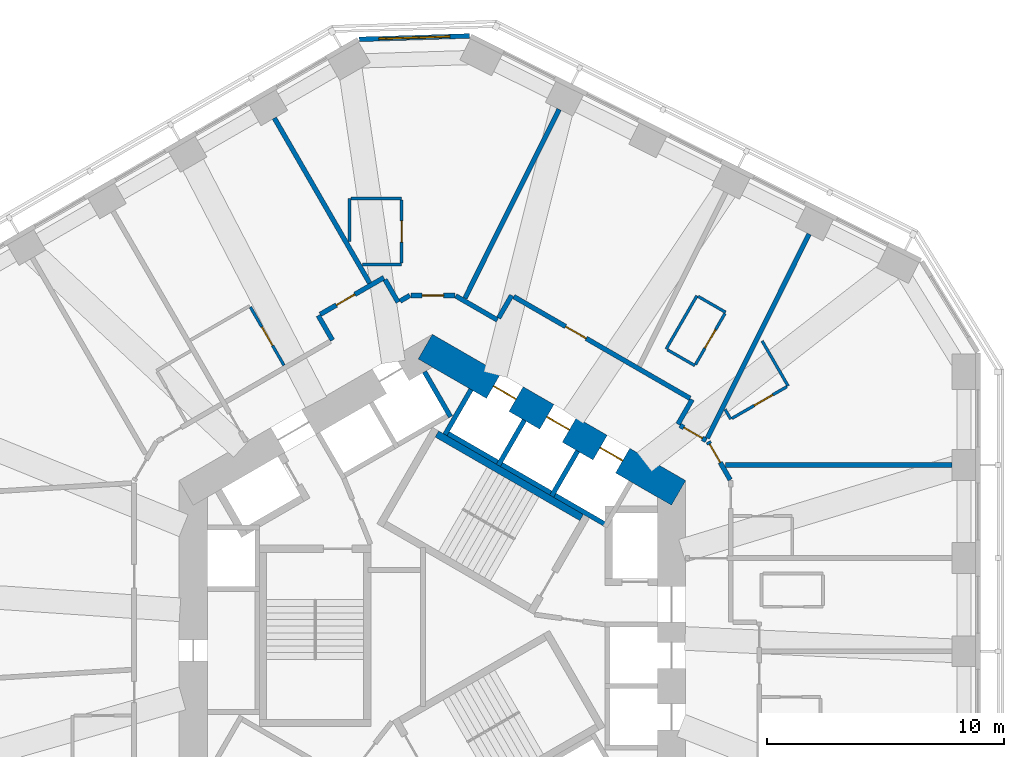
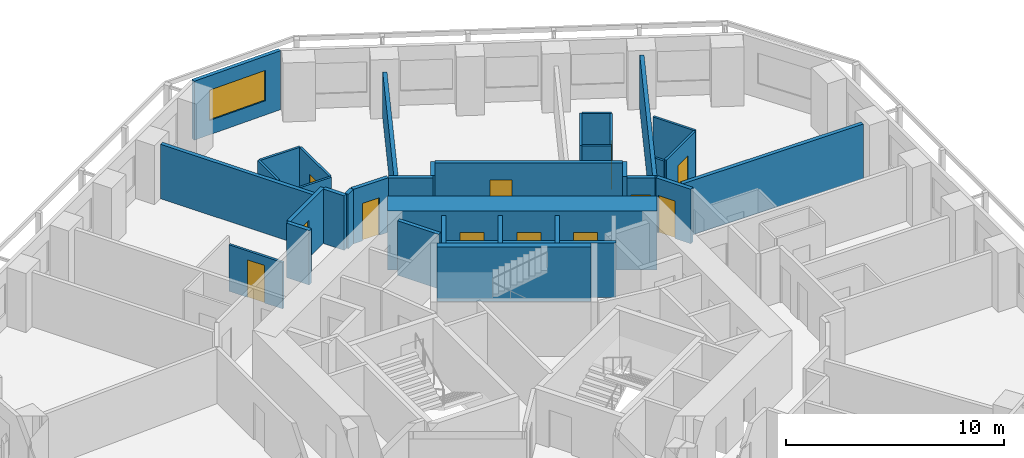
# One storey, part 8 of 12: 35 walls, 12 doors, 1 window, 13 openings.
"""IFC4 building model written with IfcOpenShell, lengths in metres."""

from ifc_helpers import new_model, si_unit, direction, frame, frame_2d, origin, place, context, subcontext, project, spatial, rectangle, extrude, material, layer, layer_set, type_object, element, fill, save


model = new_model("IFC4")

# Units and contexts
model_context = context("Model", 3, precision=1e-05, world=origin(), true_north=direction((0.0, 1.0)))
body_context = subcontext(model_context, "Body", "Model", "MODEL_VIEW")
ifc_project = project(units=[si_unit("LENGTHUNIT", "METRE"), si_unit("AREAUNIT", "SQUARE_METRE"), si_unit("VOLUMEUNIT", "CUBIC_METRE"), si_unit("PLANEANGLEUNIT", "RADIAN"), si_unit("MASSUNIT", "GRAM", prefix="KILO")], contexts=[model_context])

# Site, building, storey
site_placement = place(None, origin())
site = spatial("IfcSite", under=ifc_project, at=site_placement, CompositionType="ELEMENT")
building_placement = place(site_placement, origin())
building = spatial("IfcBuilding", under=site, at=building_placement, Name="Vanh Sen Convention Tower", CompositionType="ELEMENT")
storey_placement = place(building_placement, frame((0.0, 0.0, 44.0)))
storey = spatial("IfcBuildingStorey", under=building, at=storey_placement, Name="L07", CompositionType="ELEMENT", Elevation=44.0)

# Wall, opening, door
ifc_material_1 = material(Name="Moisture-resistant gypsum board on steel studs", Category="steel")
ifc_layer_1 = layer(ifc_material_1, 0.1201171875)
ifc_layer_set_1 = layer_set([ifc_layer_1], Name="Moisture-resistant gypsum board on steel studs")
wall_type_1 = type_object("IfcWallType", Name="Bathroom partition 120", PredefinedType="PARTITIONING", material=ifc_layer_set_1)
wall_1_placement = place(storey_placement, frame((-7.687255859375, 13.505615234375, 0.0), z_axis=(0.0, 0.0, 1.0), x_axis=(0.499985389037, -0.866033839264, 0.0)))
wall_1 = element("IfcWall", 1, at=wall_1_placement, inside=storey, type_object=wall_type_1, Name="Bathroom partition 120", PredefinedType="PARTITIONING", context=body_context, shape_type="SweptSolid", body=[
    extrude(rectangle(XDim=2.83984375, YDim=0.1201171875, at=frame_2d((1.419921875, 0.0))), origin(), (0.0, 0.0, 1.0), 2.60009765625),
])
opening_1_placement = place(wall_1_placement, frame((0.969970703125, 0.0, 0.0)))
opening_1 = element("IfcOpeningElement", 2, at=opening_1_placement, cuts=wall_1, Name="Opening D07115", PredefinedType="OPENING", context=body_context, shape_type="SweptSolid", body=[
    extrude(rectangle(XDim=0.89990234375, YDim=2.10009765625, at=frame_2d((0.449951171875, 1.050048828125))), frame((0.0, 0.070068359375, 0.0), z_axis=(0.0, -1.0, 0.0), x_axis=(1.0, 0.0, 0.0)), (0.0, 0.0, 1.0), 0.14013671875),
])
ifc_material_2 = material(Name="Laminate door in steel frame", Category="steel")
door_type_1 = type_object("IfcDoorType", Name="En-suite door 900", OperationType="SINGLE_SWING_LEFT", PredefinedType="DOOR", material=ifc_material_2)
door_1_placement = place(opening_1_placement, origin())
door_1 = element("IfcDoor", 3, at=door_1_placement, inside=storey, type_object=door_type_1, Name="En-suite door D07115", OperationType="SINGLE_SWING_LEFT", OverallHeight=2.10009765625, OverallWidth=0.89990234375, PredefinedType="DOOR", context=body_context, shape_type="SweptSolid", body=[
    extrude(rectangle(XDim=0.89990234375, YDim=2.10009765625, at=frame_2d((0.449951171875, 1.050048828125))), frame((0.0, 0.02490234375, 0.0), z_axis=(0.0, -1.0, 0.0), x_axis=(1.0, 0.0, 0.0)), (0.0, 0.0, 1.0), 0.050048828125),
])
fill(opening_1, door_1)

# Walls
wall_2_placement = place(storey_placement, frame((-3.5, 16.271484375, 0.0), z_axis=(0.0, 0.0, 1.0), x_axis=(0.0, 1.0, 0.0)))
element("IfcWall", 4, at=wall_2_placement, inside=storey, type_object=wall_type_1, Name="Bathroom partition 120", PredefinedType="PARTITIONING", context=body_context, shape_type="SweptSolid", body=[
    extrude(rectangle(XDim=1.8291015625, YDim=0.1201171875, at=frame_2d((0.91455078125, 0.0))), origin(), (0.0, 0.0, 1.0), 3.050048828125),
])
wall_3_placement = place(storey_placement, frame((-3.43994140625, 18.1005859375, 0.0), z_axis=(0.0, 0.0, 1.0), x_axis=(1.0, 0.0, 0.0)))
element("IfcWall", 5, at=wall_3_placement, inside=storey, type_object=wall_type_1, Name="Bathroom partition 120", PredefinedType="PARTITIONING", context=body_context, shape_type="SweptSolid", body=[
    extrude(rectangle(XDim=2.139892578125, YDim=0.1201171875, at=frame_2d((1.06982421875, 0.0))), origin(), (0.0, 0.0, 1.0), 3.050048828125),
])
wall_4_placement = place(storey_placement, frame((-1.300048828125, 15.30078125, 0.0), z_axis=(0.0, 0.0, 1.0), x_axis=(-1.0, 0.0, 0.0)))
element("IfcWall", 6, at=wall_4_placement, inside=storey, type_object=wall_type_1, Name="Bathroom partition 120", PredefinedType="PARTITIONING", context=body_context, shape_type="SweptSolid", body=[
    extrude(rectangle(XDim=1.6611328125, YDim=0.1201171875, at=frame_2d((0.83056640625, 0.0))), origin(), (0.0, 0.0, 1.0), 3.050048828125),
])

# Wall, opening, door
wall_5_placement = place(storey_placement, frame((-1.300048828125, 18.040771484375, 0.0), z_axis=(0.0, 0.0, 1.0), x_axis=(0.0, -1.0, 0.0)))
wall_5 = element("IfcWall", 7, at=wall_5_placement, inside=storey, type_object=wall_type_1, Name="Bathroom partition 120", PredefinedType="PARTITIONING", context=body_context, shape_type="SweptSolid", body=[
    extrude(rectangle(XDim=2.68017578125, YDim=0.1201171875, at=frame_2d((1.340087890625, 0.0))), origin(), (0.0, 0.0, 1.0), 3.050048828125),
])
opening_2_placement = place(wall_5_placement, frame((0.889892578125, 0.0, 0.0)))
opening_2 = element("IfcOpeningElement", 8, at=opening_2_placement, cuts=wall_5, Name="Opening D07113", PredefinedType="OPENING", context=body_context, shape_type="SweptSolid", body=[
    extrude(rectangle(XDim=0.89990234375, YDim=2.10009765625, at=frame_2d((0.449951171875, 1.050048828125))), frame((0.0, 0.070068359375, 0.0), z_axis=(0.0, -1.0, 0.0), x_axis=(1.0, 0.0, 0.0)), (0.0, 0.0, 1.0), 0.14013671875),
])
door_2_placement = place(opening_2_placement, origin())
door_2 = element("IfcDoor", 9, at=door_2_placement, inside=storey, type_object=door_type_1, Name="En-suite door D07113", OperationType="SINGLE_SWING_LEFT", OverallHeight=2.10009765625, OverallWidth=0.89990234375, PredefinedType="DOOR", context=body_context, shape_type="SweptSolid", body=[
    extrude(rectangle(XDim=0.89990234375, YDim=2.10009765625, at=frame_2d((0.449951171875, 1.050048828125))), frame((0.0, 0.02490234375, 0.0), z_axis=(0.0, -1.0, 0.0), x_axis=(1.0, 0.0, 0.0)), (0.0, 0.0, 1.0), 0.050048828125),
])
fill(opening_2, door_2)

# Walls
wall_6_placement = place(storey_placement, frame((9.87451171875, 11.736083984375, 0.0), z_axis=(0.0, 0.0, 1.0), x_axis=(0.499936506574, 0.866062058628, 0.0)))
element("IfcWall", 10, at=wall_6_placement, inside=storey, type_object=wall_type_1, Name="Bathroom partition 120", PredefinedType="PARTITIONING", context=body_context, shape_type="SweptSolid", body=[
    extrude(rectangle(XDim=2.599853515625, YDim=0.1201171875, at=frame_2d((1.2998046875, 0.0))), origin(), (0.0, 0.0, 1.0), 3.050048828125),
])
for number, where, z_axis, x_axis, name in (
    (11, (11.0869140625, 11.0361328125, 0.0), (0.0, 0.0, 1.0), (-0.866036909293, 0.499980071345, 0.0), "Bathroom partition 120"),
    (12, (11.226318359375, 13.957763671875, 0.0), (0.0, 0.0, 1.0), (0.866036909293, -0.499980071345, 0.0), "Bathroom partition 120"),
):
    element("IfcWall", number, at=place(storey_placement, frame(where, z_axis=z_axis, x_axis=x_axis)), inside=storey, type_object=wall_type_1, Name=name, PredefinedType="PARTITIONING", context=body_context, shape_type="SweptSolid", body=[
        extrude(rectangle(XDim=1.33984375, YDim=0.1201171875, at=frame_2d((0.669921875, 0.0))), origin(), (0.0, 0.0, 1.0), 3.050048828125),
    ])

# Wall, opening, door
wall_7_placement = place(storey_placement, frame((12.356689453125, 13.23583984375, 0.0), z_axis=(0.0, 0.0, 1.0), x_axis=(-0.50000366821, -0.866023285932, 0.0)))
wall_7 = element("IfcWall", 13, at=wall_7_placement, inside=storey, type_object=wall_type_1, Name="Bathroom partition 120", PredefinedType="PARTITIONING", context=body_context, shape_type="SweptSolid", body=[
    extrude(rectangle(XDim=2.47998046875, YDim=0.1201171875, at=frame_2d((1.239990234375, 0.0))), origin(), (0.0, 0.0, 1.0), 3.050048828125),
])
opening_3_placement = place(wall_7_placement, frame((0.7900390625, 0.0, 0.0)))
opening_3 = element("IfcOpeningElement", 14, at=opening_3_placement, cuts=wall_7, Name="Opening D07110", PredefinedType="OPENING", context=body_context, shape_type="SweptSolid", body=[
    extrude(rectangle(XDim=0.89990234375, YDim=2.10009765625, at=frame_2d((0.449951171875, 1.050048828125))), frame((0.0, 0.070068359375, 0.0), z_axis=(0.0, -1.0, 0.0), x_axis=(1.0, 0.0, 0.0)), (0.0, 0.0, 1.0), 0.14013671875),
])
door_3_placement = place(opening_3_placement, origin())
door_3 = element("IfcDoor", 15, at=door_3_placement, inside=storey, type_object=door_type_1, Name="En-suite door D07110", OperationType="SINGLE_SWING_LEFT", OverallHeight=2.10009765625, OverallWidth=0.89990234375, PredefinedType="DOOR", context=body_context, shape_type="SweptSolid", body=[
    extrude(rectangle(XDim=0.89990234375, YDim=2.10009765625, at=frame_2d((0.449951171875, 1.050048828125))), frame((0.0, 0.02490234375, 0.0), z_axis=(0.0, -1.0, 0.0), x_axis=(1.0, 0.0, 0.0)), (0.0, 0.0, 1.0), 0.050048828125),
])
fill(opening_3, door_3)

# Walls
wall_8_placement = place(storey_placement, frame((12.600830078125, 8.776123046875, 0.0), z_axis=(0.0, 0.0, 1.0), x_axis=(-0.500166486798, 0.865929261247, 0.0)))
element("IfcWall", 16, at=wall_8_placement, inside=storey, type_object=wall_type_1, Name="Bathroom partition 120", PredefinedType="PARTITIONING", context=body_context, shape_type="SweptSolid", body=[
    extrude(rectangle(XDim=0.475830078125, YDim=0.1201171875, at=frame_2d((0.23779296875, 0.0))), origin(), (0.0, 0.0, 1.0), 3.050048828125),
])
wall_9_placement = place(storey_placement, frame((13.92578125, 12.081298828125, 0.0), z_axis=(0.0, 0.0, 1.0), x_axis=(0.499994660107, -0.866028486751, 0.0)))
element("IfcWall", 17, at=wall_9_placement, inside=storey, type_object=wall_type_1, Name="Bathroom partition 120", PredefinedType="PARTITIONING", context=body_context, shape_type="SweptSolid", body=[
    extrude(rectangle(XDim=2.19970703125, YDim=0.1201171875, at=frame_2d((1.099853515625, 0.0))), origin(), (0.0, 0.0, 1.0), 3.050048828125),
])

# Wall, opening, door
wall_10_placement = place(storey_placement, frame((14.9736328125, 10.146240234375, 0.0), z_axis=(0.0, 0.0, 1.0), x_axis=(-0.86599746015, -0.500048396672, 0.0)))
wall_10 = element("IfcWall", 18, at=wall_10_placement, inside=storey, type_object=wall_type_1, Name="Bathroom partition 120", PredefinedType="PARTITIONING", context=body_context, shape_type="SweptSolid", body=[
    extrude(rectangle(XDim=2.679931640625, YDim=0.1201171875, at=frame_2d((1.33984375, 0.0))), origin(), (0.0, 0.0, 1.0), 3.050048828125),
])
opening_4_placement = place(wall_10_placement, frame((0.68994140625, 0.0, 0.0)))
opening_4 = element("IfcOpeningElement", 19, at=opening_4_placement, cuts=wall_10, Name="Opening D07108", PredefinedType="OPENING", context=body_context, shape_type="SweptSolid", body=[
    extrude(rectangle(XDim=0.89990234375, YDim=2.10009765625, at=frame_2d((0.449951171875, 1.050048828125))), frame((0.0, 0.070068359375, 0.0), z_axis=(0.0, -1.0, 0.0), x_axis=(1.0, 0.0, 0.0)), (0.0, 0.0, 1.0), 0.14013671875),
])
door_4_placement = place(opening_4_placement, origin())
door_4 = element("IfcDoor", 20, at=door_4_placement, inside=storey, type_object=door_type_1, Name="En-suite door D07108", OperationType="SINGLE_SWING_LEFT", OverallHeight=2.10009765625, OverallWidth=0.89990234375, PredefinedType="DOOR", context=body_context, shape_type="SweptSolid", body=[
    extrude(rectangle(XDim=0.89990234375, YDim=2.10009765625, at=frame_2d((0.449951171875, 1.050048828125))), frame((0.0, 0.02490234375, 0.0), z_axis=(0.0, -1.0, 0.0), x_axis=(1.0, 0.0, 0.0)), (0.0, 0.0, 1.0), 0.050048828125),
])
fill(opening_4, door_4)

# Wall, openings, doors
ifc_material_3 = material(Name="Concrete C80/95", Category="concrete")
ifc_layer_2 = layer(ifc_material_3, 1.199951171875)
ifc_layer_set_2 = layer_set([ifc_layer_2], Name="Concrete C80/95")
wall_type_2 = type_object("IfcWallType", Name="Core outer wall 1200 C80/95", PredefinedType="SHEAR", material=ifc_layer_set_2)
wall_11_placement = place(storey_placement, frame((10.39990234375, 5.657958984375, 0.0), z_axis=(0.0, 0.0, 1.0), x_axis=(-0.866021384402, 0.500006961711, 0.0)))
wall_11 = element("IfcWall", 21, at=wall_11_placement, inside=storey, type_object=wall_type_2, Name="Core wall face NE L07", PredefinedType="SHEAR", context=body_context, shape_type="SweptSolid", body=[
    extrude(rectangle(XDim=12.355224609375, YDim=1.199951171875, at=frame_2d((6.177734375, 0.0))), origin(), (0.0, 0.0, 1.0), 3.300048828125),
])
opening_5_placement = place(wall_11_placement, frame((2.727783203125, 0.0, 0.0)))
opening_5 = element("IfcOpeningElement", 22, at=opening_5_placement, cuts=wall_11, Name="Opening LD-LR3", PredefinedType="OPENING", context=body_context, shape_type="SweptSolid", body=[
    extrude(rectangle(XDim=1.10009765625, YDim=2.10009765625, at=frame_2d((0.550048828125, 1.050048828125))), frame((0.0, 0.60986328125, 0.0), z_axis=(0.0, -1.0, 0.0), x_axis=(1.0, 0.0, 0.0)), (0.0, 0.0, 1.0), 1.219970703125),
])
opening_6_placement = place(wall_11_placement, frame((5.32763671875, 0.0, 0.0)))
opening_6 = element("IfcOpeningElement", 23, at=opening_6_placement, cuts=wall_11, Name="Opening LD-LR4", PredefinedType="OPENING", context=body_context, shape_type="SweptSolid", body=[
    extrude(rectangle(XDim=1.10009765625, YDim=2.10009765625, at=frame_2d((0.550048828125, 1.050048828125))), frame((0.0, 0.60986328125, 0.0), z_axis=(0.0, -1.0, 0.0), x_axis=(1.0, 0.0, 0.0)), (0.0, 0.0, 1.0), 1.219970703125),
])
opening_7_placement = place(wall_11_placement, frame((7.927734375, 0.0, 0.0)))
opening_7 = element("IfcOpeningElement", 24, at=opening_7_placement, cuts=wall_11, Name="Opening LD-LR5", PredefinedType="OPENING", context=body_context, shape_type="SweptSolid", body=[
    extrude(rectangle(XDim=1.10009765625, YDim=2.10009765625, at=frame_2d((0.550048828125, 1.050048828125))), frame((0.0, 0.60986328125, 0.0), z_axis=(0.0, -1.0, 0.0), x_axis=(1.0, 0.0, 0.0)), (0.0, 0.0, 1.0), 1.219970703125),
])
ifc_material_4 = material(Name="Stainless steel", Category="steel")
door_type_2 = type_object("IfcDoorType", Name="Lift landing door 1100", OperationType="DOUBLE_DOOR_SLIDING", PredefinedType="DOOR", material=ifc_material_4)
door_5_placement = place(opening_5_placement, origin())
door_5 = element("IfcDoor", 25, at=door_5_placement, inside=storey, type_object=door_type_2, Name="Lift LR3 landing door LD-LR3", OperationType="DOUBLE_DOOR_SLIDING", OverallHeight=2.10009765625, OverallWidth=1.10009765625, PredefinedType="DOOR", context=body_context, shape_type="SweptSolid", body=[
    extrude(rectangle(XDim=1.10009765625, YDim=2.10009765625, at=frame_2d((0.550048828125, 1.050048828125))), frame((0.0, 0.02490234375, 0.0), z_axis=(0.0, -1.0, 0.0), x_axis=(1.0, 0.0, 0.0)), (0.0, 0.0, 1.0), 0.050048828125),
])
fill(opening_5, door_5)
door_6_placement = place(opening_6_placement, origin())
door_6 = element("IfcDoor", 26, at=door_6_placement, inside=storey, type_object=door_type_2, Name="Lift LR4 landing door LD-LR4", OperationType="DOUBLE_DOOR_SLIDING", OverallHeight=2.10009765625, OverallWidth=1.10009765625, PredefinedType="DOOR", context=body_context, shape_type="SweptSolid", body=[
    extrude(rectangle(XDim=1.10009765625, YDim=2.10009765625, at=frame_2d((0.550048828125, 1.050048828125))), frame((0.0, 0.02490234375, 0.0), z_axis=(0.0, -1.0, 0.0), x_axis=(1.0, 0.0, 0.0)), (0.0, 0.0, 1.0), 0.050048828125),
])
fill(opening_6, door_6)
door_7_placement = place(opening_7_placement, origin())
door_7 = element("IfcDoor", 27, at=door_7_placement, inside=storey, type_object=door_type_2, Name="Lift LR5 landing door LD-LR5", OperationType="DOUBLE_DOOR_SLIDING", OverallHeight=2.10009765625, OverallWidth=1.10009765625, PredefinedType="DOOR", context=body_context, shape_type="SweptSolid", body=[
    extrude(rectangle(XDim=1.10009765625, YDim=2.10009765625, at=frame_2d((0.550048828125, 1.050048828125))), frame((0.0, 0.02490234375, 0.0), z_axis=(0.0, -1.0, 0.0), x_axis=(1.0, 0.0, 0.0)), (0.0, 0.0, 1.0), 0.050048828125),
])
fill(opening_7, door_7)

# Wall
ifc_material_5 = material(Name="Gypsum board on steel studs with mineral wool", Category="steel")
ifc_layer_3 = layer(ifc_material_5, 0.199951171875)
ifc_layer_set_3 = layer_set([ifc_layer_3], Name="Gypsum board on steel studs with mineral wool")
wall_type_3 = type_object("IfcWallType", Name="Corridor partition wall 200", PredefinedType="PARTITIONING", material=ifc_layer_set_3)
wall_12_placement = place(storey_placement, frame((-4.822998046875, 13.151611328125, 0.0), z_axis=(0.0, 0.0, 1.0), x_axis=(0.499986357472, -0.866033280158, 0.0)))
element("IfcWall", 28, at=wall_12_placement, inside=storey, type_object=wall_type_3, Name="Corridor partition wall 200", PredefinedType="PARTITIONING", context=body_context, shape_type="SweptSolid", body=[
    extrude(rectangle(XDim=1.201171875, YDim=0.199951171875, at=frame_2d((0.6005859375, 0.0))), origin(), (0.0, 0.0, 1.0), 3.050048828125),
])

# Wall, opening, door
wall_13_placement = place(storey_placement, frame((-2.0498046875, 14.75244140625, 0.0), z_axis=(0.0, 0.0, 1.0), x_axis=(-0.866030936828, -0.499990416364, 0.0)))
wall_13 = element("IfcWall", 29, at=wall_13_placement, inside=storey, type_object=wall_type_3, Name="Corridor partition wall 200", PredefinedType="PARTITIONING", context=body_context, shape_type="SweptSolid", body=[
    extrude(rectangle(XDim=3.10205078125, YDim=0.199951171875, at=frame_2d((1.551025390625, 0.0))), origin(), (0.0, 0.0, 1.0), 3.050048828125),
])
opening_8_placement = place(wall_13_placement, frame((1.419189453125, 0.0, 0.0)))
opening_8 = element("IfcOpeningElement", 30, at=opening_8_placement, cuts=wall_13, Name="Opening D07114", PredefinedType="OPENING", context=body_context, shape_type="SweptSolid", body=[
    extrude(rectangle(XDim=0.89990234375, YDim=2.10009765625, at=frame_2d((0.449951171875, 1.050048828125))), frame((0.0, 0.10986328125, 0.0), z_axis=(0.0, -1.0, 0.0), x_axis=(1.0, 0.0, 0.0)), (0.0, 0.0, 1.0), 0.219970703125),
])
ifc_material_6 = material(Name="Timber fire door in steel frame", Category="steel")
door_type_3 = type_object("IfcDoorType", Name="Guest room door 900", OperationType="SINGLE_SWING_LEFT", PredefinedType="DOOR", material=ifc_material_6)
door_8_placement = place(opening_8_placement, origin())
door_8 = element("IfcDoor", 31, at=door_8_placement, inside=storey, type_object=door_type_3, Name="Hotel guest room door D07114", OperationType="SINGLE_SWING_LEFT", OverallHeight=2.10009765625, OverallWidth=0.89990234375, PredefinedType="DOOR", context=body_context, shape_type="SweptSolid", body=[
    extrude(rectangle(XDim=0.89990234375, YDim=2.10009765625, at=frame_2d((0.449951171875, 1.050048828125))), frame((0.0, 0.02490234375, 0.0), z_axis=(0.0, -1.0, 0.0), x_axis=(1.0, 0.0, 0.0)), (0.0, 0.0, 1.0), 0.050048828125),
])
fill(opening_8, door_8)

# Walls
wall_14_placement = place(storey_placement, frame((-1.449462890625, 13.71240234375, 0.0), z_axis=(0.0, 0.0, 1.0), x_axis=(-0.499978356969, 0.866037899034, 0.0)))
element("IfcWall", 32, at=wall_14_placement, inside=storey, type_object=wall_type_3, Name="Corridor partition wall 200", PredefinedType="PARTITIONING", context=body_context, shape_type="SweptSolid", body=[
    extrude(rectangle(XDim=1.10107421875, YDim=0.199951171875, at=frame_2d((0.550537109375, 0.0))), origin(), (0.0, 0.0, 1.0), 3.050048828125),
])
wall_15_placement = place(storey_placement, frame((-0.949951171875, 14.000732421875, 0.0), z_axis=(0.0, 0.0, 1.0), x_axis=(-0.86609177584, -0.499885022602, 0.0)))
element("IfcWall", 33, at=wall_15_placement, inside=storey, type_object=wall_type_3, Name="Corridor partition wall 200", PredefinedType="PARTITIONING", context=body_context, shape_type="SweptSolid", body=[
    extrude(rectangle(XDim=0.4765625, YDim=0.199951171875, at=frame_2d((0.23828125, 0.0))), origin(), (0.0, 0.0, 1.0), 3.050048828125),
])

# Wall, opening, door
wall_16_placement = place(storey_placement, frame((0.949951171875, 14.000732421875, 0.0), z_axis=(0.0, 0.0, 1.0), x_axis=(-1.0, 0.0, 0.0)))
wall_16 = element("IfcWall", 34, at=wall_16_placement, inside=storey, type_object=wall_type_3, Name="Corridor partition wall 200", PredefinedType="PARTITIONING", context=body_context, shape_type="SweptSolid", body=[
    extrude(rectangle(XDim=1.85986328125, YDim=0.199951171875, at=frame_2d((0.929931640625, 0.0))), origin(), (0.0, 0.0, 1.0), 3.050048828125),
])
opening_9_placement = place(wall_16_placement, frame((0.47998046875, 0.0, 0.0)))
opening_9 = element("IfcOpeningElement", 35, at=opening_9_placement, cuts=wall_16, Name="Opening D07112", PredefinedType="OPENING", context=body_context, shape_type="SweptSolid", body=[
    extrude(rectangle(XDim=0.89990234375, YDim=2.10009765625, at=frame_2d((0.449951171875, 1.050048828125))), frame((0.0, 0.10986328125, 0.0), z_axis=(0.0, -1.0, 0.0), x_axis=(1.0, 0.0, 0.0)), (0.0, 0.0, 1.0), 0.219970703125),
])
door_9_placement = place(opening_9_placement, origin())
door_9 = element("IfcDoor", 36, at=door_9_placement, inside=storey, type_object=door_type_3, Name="Hotel guest room door D07112", OperationType="SINGLE_SWING_LEFT", OverallHeight=2.10009765625, OverallWidth=0.89990234375, PredefinedType="DOOR", context=body_context, shape_type="SweptSolid", body=[
    extrude(rectangle(XDim=0.89990234375, YDim=2.10009765625, at=frame_2d((0.449951171875, 1.050048828125))), frame((0.0, 0.02490234375, 0.0), z_axis=(0.0, -1.0, 0.0), x_axis=(1.0, 0.0, 0.0)), (0.0, 0.0, 1.0), 0.050048828125),
])
fill(opening_9, door_9)

# Walls
wall_17_placement = place(storey_placement, frame((2.748291015625, 12.96240234375, 0.0), z_axis=(0.0, 0.0, 1.0), x_axis=(-0.866013897511, 0.50001992892, 0.0)))
element("IfcWall", 37, at=wall_17_placement, inside=storey, type_object=wall_type_3, Name="Corridor partition wall 200", PredefinedType="PARTITIONING", context=body_context, shape_type="SweptSolid", body=[
    extrude(rectangle(XDim=2.03662109375, YDim=0.199951171875, at=frame_2d((1.018310546875, 0.0))), origin(), (0.0, 0.0, 1.0), 3.050048828125),
])
wall_18_placement = place(storey_placement, frame((3.348876953125, 14.00244140625, 0.0), z_axis=(0.0, 0.0, 1.0), x_axis=(-0.500074377092, -0.865982457891, 0.0)))
element("IfcWall", 38, at=wall_18_placement, inside=storey, type_object=wall_type_3, Name="Corridor partition wall 200", PredefinedType="PARTITIONING", context=body_context, shape_type="SweptSolid", body=[
    extrude(rectangle(XDim=1.100830078125, YDim=0.199951171875, at=frame_2d((0.55029296875, 0.0))), origin(), (0.0, 0.0, 1.0), 3.050048828125),
])
wall_19_placement = place(storey_placement, frame((10.37109375, 8.561279296875, 0.0), z_axis=(0.0, 0.0, 1.0), x_axis=(0.499986357472, 0.866033280158, 0.0)))
element("IfcWall", 39, at=wall_19_placement, inside=storey, type_object=wall_type_3, Name="Corridor partition wall 200", PredefinedType="PARTITIONING", context=body_context, shape_type="SweptSolid", body=[
    extrude(rectangle(XDim=1.201171875, YDim=0.199951171875, at=frame_2d((0.6005859375, 0.0))), origin(), (0.0, 0.0, 1.0), 3.050048828125),
])

# Wall, opening, door
wall_20_placement = place(storey_placement, frame((10.885009765625, 9.651611328125, 0.0), z_axis=(0.0, 0.0, 1.0), x_axis=(-0.866033868542, 0.499985338323, 0.0)))
wall_20 = element("IfcWall", 40, at=wall_20_placement, inside=storey, type_object=wall_type_3, Name="Corridor partition wall 200", PredefinedType="PARTITIONING", context=body_context, shape_type="SweptSolid", body=[
    extrude(rectangle(XDim=8.601806640625, YDim=0.199951171875, at=frame_2d((4.30078125, 0.0))), origin(), (0.0, 0.0, 1.0), 3.050048828125),
])
opening_10_placement = place(wall_20_placement, frame((5.068603515625, 0.0, 0.0)))
opening_10 = element("IfcOpeningElement", 41, at=opening_10_placement, cuts=wall_20, Name="Opening D07111", PredefinedType="OPENING", context=body_context, shape_type="SweptSolid", body=[
    extrude(rectangle(XDim=1.0, YDim=2.10009765625, at=frame_2d((0.5, 1.050048828125))), frame((0.0, 0.10986328125, 0.0), z_axis=(0.0, -1.0, 0.0), x_axis=(1.0, 0.0, 0.0)), (0.0, 0.0, 1.0), 0.219970703125),
])
door_type_4 = type_object("IfcDoorType", Name="Floor room door 1000", OperationType="SINGLE_SWING_LEFT", PredefinedType="DOOR", material=ifc_material_6)
door_10_placement = place(opening_10_placement, origin())
door_10 = element("IfcDoor", 42, at=door_10_placement, inside=storey, type_object=door_type_4, Name="Meeting and amenity room door D07111", OperationType="SINGLE_SWING_LEFT", OverallHeight=2.10009765625, OverallWidth=1.0, PredefinedType="DOOR", context=body_context, shape_type="SweptSolid", body=[
    extrude(rectangle(XDim=1.0, YDim=2.10009765625, at=frame_2d((0.5, 1.050048828125))), frame((0.0, 0.02490234375, 0.0), z_axis=(0.0, -1.0, 0.0), x_axis=(1.0, 0.0, 0.0)), (0.0, 0.0, 1.0), 0.050048828125),
])
fill(opening_10, door_10)

wall_21_placement = place(storey_placement, frame((11.56640625, 7.871337890625, 0.0), z_axis=(0.0, 0.0, 1.0), x_axis=(-0.866004557827, 0.500036104519, 0.0)))
wall_21 = element("IfcWall", 43, at=wall_21_placement, inside=storey, type_object=wall_type_3, Name="Corridor partition wall 200", PredefinedType="PARTITIONING", context=body_context, shape_type="SweptSolid", body=[
    extrude(rectangle(XDim=1.2802734375, YDim=0.199951171875, at=frame_2d((0.64013671875, 0.0))), origin(), (0.0, 0.0, 1.0), 3.050048828125),
])
opening_11_placement = place(wall_21_placement, frame((0.190185546875, 0.0, 0.0)))
opening_11 = element("IfcOpeningElement", 44, at=opening_11_placement, cuts=wall_21, Name="Opening D07109", PredefinedType="OPENING", context=body_context, shape_type="SweptSolid", body=[
    extrude(rectangle(XDim=0.89990234375, YDim=2.10009765625, at=frame_2d((0.449951171875, 1.050048828125))), frame((0.0, 0.10986328125, 0.0), z_axis=(0.0, -1.0, 0.0), x_axis=(1.0, 0.0, 0.0)), (0.0, 0.0, 1.0), 0.219970703125),
])
door_11_placement = place(opening_11_placement, origin())
door_11 = element("IfcDoor", 45, at=door_11_placement, inside=storey, type_object=door_type_3, Name="Hotel guest room door D07109", OperationType="SINGLE_SWING_LEFT", OverallHeight=2.10009765625, OverallWidth=0.89990234375, PredefinedType="DOOR", context=body_context, shape_type="SweptSolid", body=[
    extrude(rectangle(XDim=0.89990234375, YDim=2.10009765625, at=frame_2d((0.449951171875, 1.050048828125))), frame((0.0, 0.02490234375, 0.0), z_axis=(0.0, -1.0, 0.0), x_axis=(1.0, 0.0, 0.0)), (0.0, 0.0, 1.0), 0.050048828125),
])
fill(opening_11, door_11)

wall_22_placement = place(storey_placement, frame((12.580078125, 6.212158203125, 0.0), z_axis=(0.0, 0.0, 1.0), x_axis=(-0.500063286585, 0.865988862174, 0.0)))
wall_22 = element("IfcWall", 46, at=wall_22_placement, inside=storey, type_object=wall_type_3, Name="Corridor partition wall 200", PredefinedType="PARTITIONING", context=body_context, shape_type="SweptSolid", body=[
    extrude(rectangle(XDim=1.860107421875, YDim=0.199951171875, at=frame_2d((0.93017578125, 0.0))), origin(), (0.0, 0.0, 1.0), 3.050048828125),
])
opening_12_placement = place(wall_22_placement, frame((0.841796875, 0.0, 0.0)))
opening_12 = element("IfcOpeningElement", 47, at=opening_12_placement, cuts=wall_22, Name="Opening D07107", PredefinedType="OPENING", context=body_context, shape_type="SweptSolid", body=[
    extrude(rectangle(XDim=0.89990234375, YDim=2.10009765625, at=frame_2d((0.449951171875, 1.050048828125))), frame((0.0, 0.10986328125, 0.0), z_axis=(0.0, -1.0, 0.0), x_axis=(1.0, 0.0, 0.0)), (0.0, 0.0, 1.0), 0.219970703125),
])
door_12_placement = place(opening_12_placement, origin())
door_12 = element("IfcDoor", 48, at=door_12_placement, inside=storey, type_object=door_type_3, Name="Hotel guest room door D07107", OperationType="SINGLE_SWING_LEFT", OverallHeight=2.10009765625, OverallWidth=0.89990234375, PredefinedType="DOOR", context=body_context, shape_type="SweptSolid", body=[
    extrude(rectangle(XDim=0.89990234375, YDim=2.10009765625, at=frame_2d((0.449951171875, 1.050048828125))), frame((0.0, 0.02490234375, 0.0), z_axis=(0.0, -1.0, 0.0), x_axis=(1.0, 0.0, 0.0)), (0.0, 0.0, 1.0), 0.050048828125),
])
fill(opening_12, door_12)

# Wall, opening, window
ifc_material_7 = material(Name="Insulated lightweight infill wall")
ifc_layer_4 = layer(ifc_material_7, 0.199951171875)
ifc_layer_set_4 = layer_set([ifc_layer_4], Name="Insulated lightweight infill wall")
wall_type_4 = type_object("IfcWallType", Name="External wall 200", PredefinedType="STANDARD", material=ifc_layer_set_4)
wall_23_placement = place(storey_placement, frame((1.568359375, 24.9609375, 0.0), z_axis=(0.0, 0.0, 1.0), x_axis=(-0.999533359013, -0.030546099927, 0.0)))
wall_23 = element("IfcWall", 49, at=wall_23_placement, inside=storey, type_object=wall_type_4, Name="External wall CH2 L07", PredefinedType="STANDARD", context=body_context, shape_type="SweptSolid", body=[
    extrude(rectangle(XDim=4.65966796875, YDim=0.199951171875, at=frame_2d((2.329833984375, 0.0))), origin(), (0.0, 0.0, 1.0), 3.300048828125),
])
opening_13_placement = place(wall_23_placement, frame((0.829833984375, 0.0, 0.800048828125)))
opening_13 = element("IfcOpeningElement", 50, at=opening_13_placement, cuts=wall_23, Name="Opening WH2-CH21", PredefinedType="OPENING", context=body_context, shape_type="SweptSolid", body=[
    extrude(rectangle(XDim=3.0, YDim=1.699951171875, at=frame_2d((1.5, 0.85009765625))), frame((0.0, 0.10986328125, 0.0), z_axis=(0.0, -1.0, 0.0), x_axis=(1.0, 0.0, 0.0)), (0.0, 0.0, 1.0), 0.219970703125),
])
ifc_material_8 = material(Name="Aluminium frame with clear low-emissivity glass", Category="aluminium")
window_type = type_object("IfcWindowType", Name="Hotel window 3000 x 1700", PartitioningType="SINGLE_PANEL", PredefinedType="WINDOW", material=ifc_material_8)
window_placement = place(opening_13_placement, origin())
window = element("IfcWindow", 51, at=window_placement, inside=storey, type_object=window_type, Name="Window WH2-CH21", OverallHeight=1.699951171875, OverallWidth=3.0, PartitioningType="SINGLE_PANEL", PredefinedType="WINDOW", context=body_context, shape_type="SweptSolid", body=[
    extrude(rectangle(XDim=3.0, YDim=1.699951171875, at=frame_2d((1.5, 0.85009765625))), frame((0.0, 0.030029296875, 0.0), z_axis=(0.0, -1.0, 0.0), x_axis=(1.0, 0.0, 0.0)), (0.0, 0.0, 1.0), 0.06005859375),
])
fill(opening_13, window)

# Walls
ifc_layer_5 = layer(ifc_material_5, 0.199951171875)
ifc_layer_set_5 = layer_set([ifc_layer_5], Name="Gypsum board on steel studs with mineral wool")
wall_type_5 = type_object("IfcWallType", Name="Hotel party wall 200", PredefinedType="PARTITIONING", material=ifc_layer_set_5)
wall_24_placement = place(storey_placement, frame((-6.675537109375, 21.49169921875, 0.0), z_axis=(0.0, 0.0, 1.0), x_axis=(0.500011263043, -0.866018900966, 0.0)))
element("IfcWall", 52, at=wall_24_placement, inside=storey, type_object=wall_type_5, Name="Hotel party wall 200", PredefinedType="PARTITIONING", context=body_context, shape_type="SweptSolid", body=[
    extrude(rectangle(XDim=8.049072265625, YDim=0.199951171875, at=frame_2d((4.0244140625, 0.0))), origin(), (0.0, 0.0, 1.0), 3.050048828125),
])
wall_25_placement = place(storey_placement, frame((5.35107421875, 21.859130859375, 0.0), z_axis=(0.0, 0.0, 1.0), x_axis=(-0.446205309328, -0.894930624086, 0.0)))
element("IfcWall", 53, at=wall_25_placement, inside=storey, type_object=wall_type_5, Name="Hotel party wall 200", PredefinedType="PARTITIONING", context=body_context, shape_type="SweptSolid", body=[
    extrude(rectangle(XDim=8.9130859375, YDim=0.199951171875, at=frame_2d((4.45654296875, 0.0))), origin(), (0.0, 0.0, 1.0), 2.60009765625),
])
wall_26_placement = place(storey_placement, frame((15.91455078125, 16.59228515625, 0.0), z_axis=(0.0, 0.0, 1.0), x_axis=(-0.446199736347, -0.894933402709, 0.0)))
element("IfcWall", 54, at=wall_26_placement, inside=storey, type_object=wall_type_5, Name="Hotel party wall 200", PredefinedType="PARTITIONING", context=body_context, shape_type="SweptSolid", body=[
    extrude(rectangle(XDim=9.634765625, YDim=0.199951171875, at=frame_2d((4.8173828125, 0.0))), origin(), (0.0, 0.0, 1.0), 3.050048828125),
])
wall_27_placement = place(storey_placement, frame((21.949951171875, 6.839111328125, 0.0), z_axis=(0.0, 0.0, 1.0), x_axis=(-1.0, 0.0, 0.0)))
element("IfcWall", 55, at=wall_27_placement, inside=storey, type_object=wall_type_5, Name="Hotel party wall 200", PredefinedType="PARTITIONING", context=body_context, shape_type="SweptSolid", body=[
    extrude(rectangle(XDim=9.57177734375, YDim=0.199951171875, at=frame_2d((4.785888671875, 0.0))), origin(), (0.0, 0.0, 1.0), 3.050048828125),
])
ifc_material_9 = material(Name="Concrete C40/50", Category="concrete")
ifc_layer_6 = layer(ifc_material_9, 0.199951171875)
ifc_layer_set_6 = layer_set([ifc_layer_6], Name="Concrete C40/50")
wall_type_6 = type_object("IfcWallType", Name="Lift shaft wall 200", PredefinedType="PARTITIONING", material=ifc_layer_set_6)
wall_28_placement = place(storey_placement, frame((7.423828125, 4.258544921875, 0.0), z_axis=(0.0, 0.0, 1.0), x_axis=(-0.866026010844, 0.49999894854, 0.0)))
element("IfcWall", 56, at=wall_28_placement, inside=storey, type_object=wall_type_6, Name="Lift shaft wall L07", PredefinedType="PARTITIONING", context=body_context, shape_type="SweptSolid", body=[
    extrude(rectangle(XDim=8.0, YDim=0.199951171875, at=frame_2d((4.0, 0.0))), origin(), (0.0, 0.0, 1.0), 3.050048828125),
])
for number, where, z_axis, x_axis, name in (
    (57, (5.03564453125, 5.52197265625, 0.0), (0.0, 0.0, 1.0), (0.499946605688, 0.86605622881, 0.0), "Lift shaft wall L07"),
    (58, (2.783935546875, 6.822021484375, 0.0), (0.0, 0.0, 1.0), (0.50002983664, 0.866008176907, 0.0), "Lift shaft wall L07"),
    (59, (0.5322265625, 8.1220703125, 0.0), (0.0, 0.0, 1.0), (0.500077893725, 0.86598042715, 0.0), "Lift shaft wall L07"),
):
    element("IfcWall", number, at=place(storey_placement, frame(where, z_axis=z_axis, x_axis=x_axis)), inside=storey, type_object=wall_type_6, Name=name, PredefinedType="PARTITIONING", context=body_context, shape_type="SweptSolid", body=[
        extrude(rectangle(XDim=2.199951171875, YDim=0.199951171875, at=frame_2d((1.10009765625, 0.0))), origin(), (0.0, 0.0, 1.0), 3.050048828125),
    ])
wall_29_placement = place(storey_placement, frame((0.7666015625, 8.8720703125, 0.0), z_axis=(0.0, 0.0, 1.0), x_axis=(-0.499994660107, 0.866028486751, 0.0)))
element("IfcWall", 60, at=wall_29_placement, inside=storey, type_object=wall_type_6, Name="Lift shaft wall L07", PredefinedType="PARTITIONING", context=body_context, shape_type="SweptSolid", body=[
    extrude(rectangle(XDim=2.19970703125, YDim=0.199951171875, at=frame_2d((1.099853515625, 0.0))), origin(), (0.0, 0.0, 1.0), 3.050048828125),
])
ifc_material_10 = material(Name="Concrete C60/75", Category="concrete")
ifc_layer_7 = layer(ifc_material_10, 0.300048828125)
ifc_layer_set_7 = layer_set([ifc_layer_7], Name="Concrete C60/75")
wall_type_7 = type_object("IfcWallType", Name="Stair wall 300", PredefinedType="SHEAR", material=ifc_layer_set_7)
wall_30_placement = place(storey_placement, frame((6.302978515625, 4.6171875, 0.0), z_axis=(0.0, 0.0, 1.0), x_axis=(-0.866027801685, 0.499995846692, 0.0)))
element("IfcWall", 61, at=wall_30_placement, inside=storey, type_object=wall_type_7, Name="Stair wall L07", PredefinedType="SHEAR", context=body_context, shape_type="SweptSolid", body=[
    extrude(rectangle(XDim=7.06005859375, YDim=0.300048828125, at=frame_2d((3.530029296875, 0.0))), origin(), (0.0, 0.0, 1.0), 3.050048828125),
])

save(model, "model.ifc")
